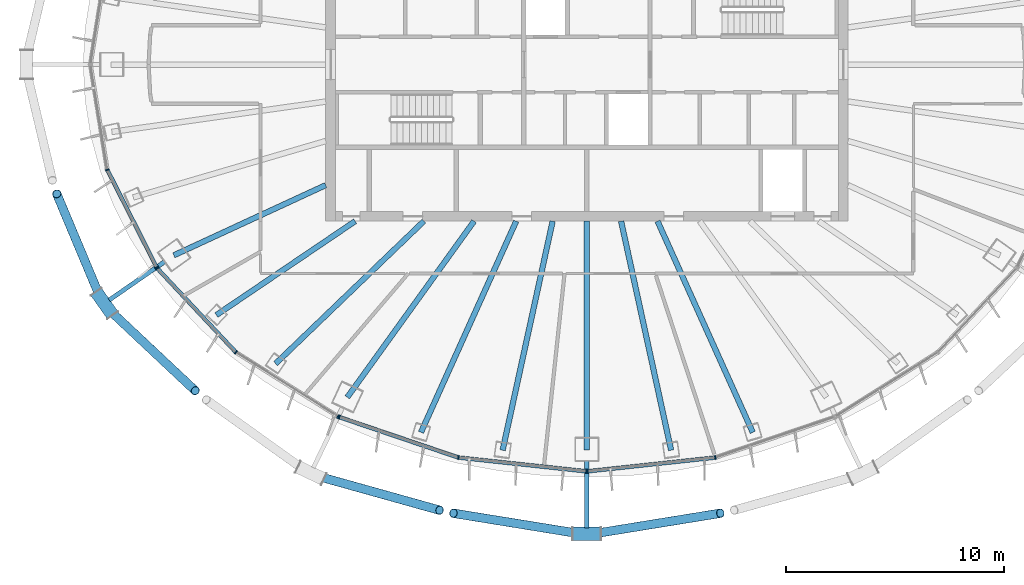
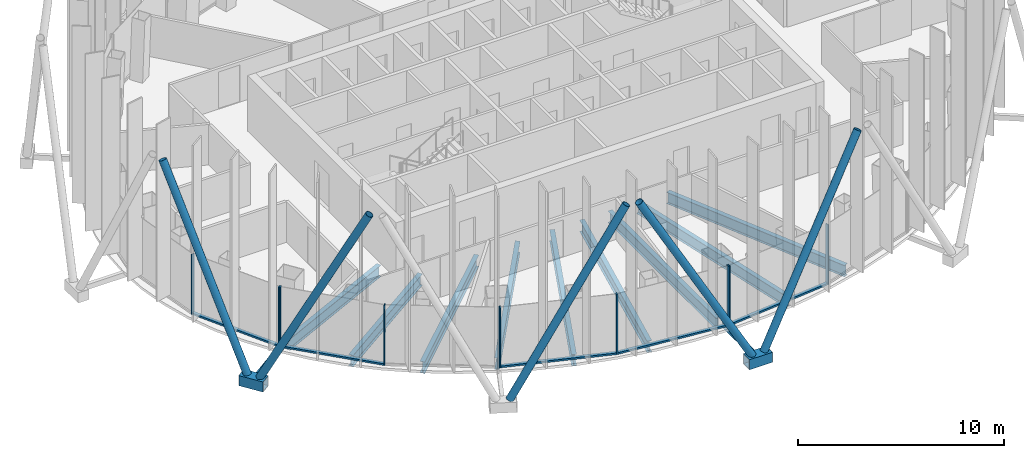
# One storey, part 2 of 17: 24 members, 9 beams, 4 elements without a shape of their own.
"""IFC4 building model written with IfcOpenShell, lengths in metres."""

from ifc_helpers import new_model, si_unit, direction, frame, origin, origin_2d, place, context, subcontext, project, spatial, rectangle, hollow_rectangle, hollow_circle, i_section, extrude, material, layer, layer_set, material_profile, profile_set, type_object, element, aggregate, save


model = new_model("IFC4")

# Units and contexts
model_context = context("Model", 3, precision=1e-05, world=origin(), true_north=direction((0.0, 1.0)))
body_context = subcontext(model_context, "Body", "Model", "MODEL_VIEW")
ifc_project = project(units=[si_unit("LENGTHUNIT", "METRE"), si_unit("AREAUNIT", "SQUARE_METRE"), si_unit("VOLUMEUNIT", "CUBIC_METRE"), si_unit("PLANEANGLEUNIT", "RADIAN"), si_unit("MASSUNIT", "GRAM", prefix="KILO")], contexts=[model_context])

# Site, building, storey
site_placement = place(None, origin())
site = spatial("IfcSite", under=ifc_project, at=site_placement, CompositionType="ELEMENT")
building_placement = place(site_placement, origin())
building = spatial("IfcBuilding", under=site, at=building_placement, Name="Siaravel Broadcast Tower", CompositionType="ELEMENT")
storey_placement = place(building_placement, frame((0.0, 0.0, 190.39990234375)))
storey = spatial("IfcBuildingStorey", under=building, at=storey_placement, Name="L46", CompositionType="ELEMENT", Elevation=190.39990234375)

# Beams
ifc_material_1 = material(Name="Steel S355", Category="steel")
ifc_material_profile_1 = material_profile(ifc_material_1, i_section(OverallWidth=0.2529296875, OverallDepth=0.677978515625, WebThickness=0.01171875, FlangeThickness=0.01611328125, FilletRadius=0.01513671875, at=origin_2d()))
ifc_profile_set_1 = profile_set([ifc_material_profile_1], Name="Steel S355")
beam_type = type_object("IfcBeamType", Name="BM-UB 686x254x125", PredefinedType="BEAM", material=ifc_profile_set_1)
beam_1_placement = place(storey_placement, frame((-18.978271484375, -8.7666015625, -0.489013671875), z_axis=(0.907828267, 0.419342148, 0.0), x_axis=(-0.419342148, 0.907828267, 0.0)))
element("IfcBeam", 1, at=beam_1_placement, inside=storey, type_object=beam_type, Name="Radial beam RB22", PredefinedType="BEAM", context=body_context, shape_type="SweptSolid", body=[
    extrude(i_section(OverallWidth=0.2529296875, OverallDepth=0.677978515625, WebThickness=0.01171875, FlangeThickness=0.01611328125, FilletRadius=0.01513671875, at=origin_2d()), origin(), (0.0, 0.0, 1.0), 7.686767578125),
])
beam_2_placement = place(storey_placement, frame((-17.023681640625, -11.51220703125, -0.489013671875), z_axis=(0.828367821, 0.560184571, 0.0), x_axis=(-0.560184571, 0.828367821, 0.0)))
element("IfcBeam", 2, at=beam_2_placement, inside=storey, type_object=beam_type, Name="Radial beam RB23", PredefinedType="BEAM", context=body_context, shape_type="SweptSolid", body=[
    extrude(i_section(OverallWidth=0.2529296875, OverallDepth=0.677978515625, WebThickness=0.01171875, FlangeThickness=0.01611328125, FilletRadius=0.01513671875, at=origin_2d()), origin(), (0.0, 0.0, 1.0), 7.697998046875),
])
beam_3_placement = place(storey_placement, frame((-14.30029296875, -13.742919921875, -0.489013671875), z_axis=(0.721006936, 0.692927845, 0.0), x_axis=(-0.692927845, 0.721006936, 0.0)))
element("IfcBeam", 3, at=beam_3_placement, inside=storey, type_object=beam_type, Name="Radial beam RB24", PredefinedType="BEAM", context=body_context, shape_type="SweptSolid", body=[
    extrude(i_section(OverallWidth=0.2529296875, OverallDepth=0.677978515625, WebThickness=0.01171875, FlangeThickness=0.01611328125, FilletRadius=0.01513671875, at=origin_2d()), origin(), (0.0, 0.0, 1.0), 9.4423828125),
])
beam_4_placement = place(storey_placement, frame((-11.005859375, -15.287353515625, -0.489013671875), z_axis=(0.584260838, 0.811565939, 0.0), x_axis=(-0.811565939, 0.584260838, 0.0)))
element("IfcBeam", 4, at=beam_4_placement, inside=storey, type_object=beam_type, Name="Radial beam RB25", PredefinedType="BEAM", context=body_context, shape_type="SweptSolid", body=[
    extrude(i_section(OverallWidth=0.2529296875, OverallDepth=0.677978515625, WebThickness=0.01171875, FlangeThickness=0.01611328125, FilletRadius=0.01513671875, at=origin_2d()), origin(), (0.0, 0.0, 1.0), 9.965087890625),
])
beam_5_placement = place(storey_placement, frame((-7.62158203125, -16.900146484375, -0.489013671875), z_axis=(0.411101024, 0.911589792, 0.0), x_axis=(-0.911589792, 0.411101024, 0.0)))
element("IfcBeam", 5, at=beam_5_placement, inside=storey, type_object=beam_type, Name="Radial beam RB26", PredefinedType="BEAM", context=body_context, shape_type="SweptSolid", body=[
    extrude(i_section(OverallWidth=0.2529296875, OverallDepth=0.677978515625, WebThickness=0.01171875, FlangeThickness=0.01611328125, FilletRadius=0.01513671875, at=origin_2d()), origin(), (0.0, 0.0, 1.0), 10.640869140625),
])
beam_6_placement = place(storey_placement, frame((-3.871337890625, -17.72314453125, -0.489013671875), z_axis=(0.21339877, 0.976965181, 0.0), x_axis=(-0.976965181, 0.21339877, 0.0)))
element("IfcBeam", 6, at=beam_6_placement, inside=storey, type_object=beam_type, Name="Radial beam RB27", PredefinedType="BEAM", context=body_context, shape_type="SweptSolid", body=[
    extrude(i_section(OverallWidth=0.2529296875, OverallDepth=0.677978515625, WebThickness=0.01171875, FlangeThickness=0.01611328125, FilletRadius=0.01513671875, at=origin_2d()), origin(), (0.0, 0.0, 1.0), 10.771240234375),
])
beam_7_placement = place(storey_placement, frame((0.0, -17.70068359375, -0.489013671875), z_axis=(0.0, 1.0, 0.0), x_axis=(-1.0, 0.0, 0.0)))
element("IfcBeam", 7, at=beam_7_placement, inside=storey, type_object=beam_type, Name="Radial beam RB28", PredefinedType="BEAM", context=body_context, shape_type="SweptSolid", body=[
    extrude(i_section(OverallWidth=0.2529296875, OverallDepth=0.677978515625, WebThickness=0.01171875, FlangeThickness=0.01611328125, FilletRadius=0.01513671875, at=origin_2d()), origin(), (0.0, 0.0, 1.0), 10.500732421875),
])
beam_8_placement = place(storey_placement, frame((3.871337890625, -17.72314453125, -0.489013671875), z_axis=(-0.21339877, 0.976965181, 0.0), x_axis=(-0.976965181, -0.21339877, 0.0)))
element("IfcBeam", 8, at=beam_8_placement, inside=storey, type_object=beam_type, Name="Radial beam RB29", PredefinedType="BEAM", context=body_context, shape_type="SweptSolid", body=[
    extrude(i_section(OverallWidth=0.2529296875, OverallDepth=0.677978515625, WebThickness=0.01171875, FlangeThickness=0.01611328125, FilletRadius=0.01513671875, at=origin_2d()), origin(), (0.0, 0.0, 1.0), 10.771240234375),
])
beam_9_placement = place(storey_placement, frame((7.62158203125, -16.900146484375, -0.489013671875), z_axis=(-0.411101024, 0.911589792, 0.0), x_axis=(-0.911589792, -0.411101024, 0.0)))
element("IfcBeam", 9, at=beam_9_placement, inside=storey, type_object=beam_type, Name="Radial beam RB30", PredefinedType="BEAM", context=body_context, shape_type="SweptSolid", body=[
    extrude(i_section(OverallWidth=0.2529296875, OverallDepth=0.677978515625, WebThickness=0.01171875, FlangeThickness=0.01611328125, FilletRadius=0.01513671875, at=origin_2d()), origin(), (0.0, 0.0, 1.0), 10.640869140625),
])

# Curtain wall, members
ifc_material_2 = material(Name="Aluminium 6063-T6", Category="aluminium")
ifc_layer = layer(ifc_material_2, 0.179931640625)
ifc_layer_set = layer_set([ifc_layer], Name="Aluminium 6063-T6")
curtain_wall_type = type_object("IfcCurtainWallType", Name="Unitised curtain wall, zone 3", PredefinedType="NOTDEFINED", material=ifc_layer_set)
curtain_wall_1_placement = place(storey_placement, origin())
curtain_wall_1 = element("IfcCurtainWall", 10, at=curtain_wall_1_placement, inside=storey, type_object=curtain_wall_type, Name="L46 Unitised curtain wall, zone 3 07", PredefinedType="NOTDEFINED")
ifc_material_profile_2 = material_profile(ifc_material_2, rectangle(XDim=0.179931640625, YDim=0.06005859375, at=origin_2d()))
ifc_profile_set_2 = profile_set([ifc_material_profile_2], Name="Aluminium 6063-T6")
member_type_1 = type_object("IfcMemberType", Name="CW-Z3 mullion", PredefinedType="MULLION", material=ifc_profile_set_2)
member_1_placement = place(storey_placement, frame((-22.0322265625, -4.8408203125, 0.0), z_axis=(0.0, 0.0, 1.0), x_axis=(0.951177224, 0.308645247, 0.0)))
member_1 = element("IfcMember", 11, at=member_1_placement, type_object=member_type_1, Name="CW-Z3 mullion 2", PredefinedType="MULLION", context=body_context, shape_type="SweptSolid", body=[
    extrude(rectangle(XDim=0.179931640625, YDim=0.06005859375, at=origin_2d()), origin(), (0.0, 0.0, 1.0), 3.550048828125),
])
member_2_placement = place(storey_placement, frame((-19.765380859375, -9.323486328125, 0.0), z_axis=(0.0, 0.0, 1.0), x_axis=(0.892392092, 0.45126085, 0.0)))
member_2 = element("IfcMember", 12, at=member_2_placement, type_object=member_type_1, Name="CW-Z3 mullion 3", PredefinedType="MULLION", context=body_context, shape_type="SweptSolid", body=[
    extrude(rectangle(XDim=0.179931640625, YDim=0.06005859375, at=origin_2d()), origin(), (0.0, 0.0, 1.0), 3.550048828125),
])

curtain_wall_2_placement = place(storey_placement, origin())
curtain_wall_2 = element("IfcCurtainWall", 13, at=curtain_wall_2_placement, inside=storey, type_object=curtain_wall_type, Name="L46 Unitised curtain wall, zone 3 08", PredefinedType="NOTDEFINED")
member_3_placement = place(storey_placement, frame((-19.7314453125, -9.372314453125, 0.0), z_axis=(0.0, 0.0, 1.0), x_axis=(0.729805157, 0.6836552, 0.0)))
member_3 = element("IfcMember", 14, at=member_3_placement, type_object=member_type_1, Name="CW-Z3 mullion 1", PredefinedType="MULLION", context=body_context, shape_type="SweptSolid", body=[
    extrude(rectangle(XDim=0.179931640625, YDim=0.06005859375, at=origin_2d()), origin(), (0.0, 0.0, 1.0), 3.550048828125),
])
member_4_placement = place(storey_placement, frame((-16.12548828125, -13.221435546875, 0.0), z_axis=(0.0, 0.0, 1.0), x_axis=(0.636218507, 0.771508918, 0.0)))
member_4 = element("IfcMember", 15, at=member_4_placement, type_object=member_type_1, Name="CW-Z3 mullion 2", PredefinedType="MULLION", context=body_context, shape_type="SweptSolid", body=[
    extrude(rectangle(XDim=0.179931640625, YDim=0.06005859375, at=origin_2d()), origin(), (0.0, 0.0, 1.0), 3.550048828125),
])
member_5_placement = place(storey_placement, frame((-11.427001953125, -16.1748046875, 0.0), z_axis=(0.0, 0.0, 1.0), x_axis=(0.532149052, 0.846650687, 0.0)))
member_5 = element("IfcMember", 16, at=member_5_placement, type_object=member_type_1, Name="CW-Z3 mullion 3", PredefinedType="MULLION", context=body_context, shape_type="SweptSolid", body=[
    extrude(rectangle(XDim=0.179931640625, YDim=0.06005859375, at=origin_2d()), origin(), (0.0, 0.0, 1.0), 3.550048828125),
])

curtain_wall_3_placement = place(storey_placement, origin())
curtain_wall_3 = element("IfcCurtainWall", 17, at=curtain_wall_3_placement, inside=storey, type_object=curtain_wall_type, Name="L46 Unitised curtain wall, zone 3 09", PredefinedType="NOTDEFINED")
member_6_placement = place(storey_placement, frame((-11.373046875, -16.2001953125, 0.0), z_axis=(0.0, 0.0, 1.0), x_axis=(0.321300458, 0.946977305, 0.0)))
member_6 = element("IfcMember", 18, at=member_6_placement, type_object=member_type_1, Name="CW-Z3 mullion 1", PredefinedType="MULLION", context=body_context, shape_type="SweptSolid", body=[
    extrude(rectangle(XDim=0.179931640625, YDim=0.06005859375, at=origin_2d()), origin(), (0.0, 0.0, 1.0), 3.550048828125),
])
member_7_placement = place(storey_placement, frame((-5.901611328125, -18.056884765625, 0.0), z_axis=(0.0, 0.0, 1.0), x_axis=(0.21555795, 0.97649105, 0.0)))
member_7 = element("IfcMember", 19, at=member_7_placement, type_object=member_type_1, Name="CW-Z3 mullion 2", PredefinedType="MULLION", context=body_context, shape_type="SweptSolid", body=[
    extrude(rectangle(XDim=0.179931640625, YDim=0.06005859375, at=origin_2d()), origin(), (0.0, 0.0, 1.0), 3.550048828125),
])
member_8_placement = place(storey_placement, frame((-0.02978515625, -18.68994140625, 0.0), z_axis=(0.0, 0.0, 1.0), x_axis=(0.107217422, 0.994235598, 0.0)))
member_8 = element("IfcMember", 20, at=member_8_placement, type_object=member_type_1, Name="CW-Z3 mullion 3", PredefinedType="MULLION", context=body_context, shape_type="SweptSolid", body=[
    extrude(rectangle(XDim=0.179931640625, YDim=0.06005859375, at=origin_2d()), origin(), (0.0, 0.0, 1.0), 3.550048828125),
])

curtain_wall_4_placement = place(storey_placement, origin())
curtain_wall_4 = element("IfcCurtainWall", 21, at=curtain_wall_4_placement, inside=storey, type_object=curtain_wall_type, Name="L46 Unitised curtain wall, zone 3 10", PredefinedType="NOTDEFINED")
member_9_placement = place(storey_placement, frame((0.02978515625, -18.68994140625, 0.0), z_axis=(0.0, 0.0, 1.0), x_axis=(-0.107217422, 0.994235598, 0.0)))
member_9 = element("IfcMember", 22, at=member_9_placement, type_object=member_type_1, Name="CW-Z3 mullion 1", PredefinedType="MULLION", context=body_context, shape_type="SweptSolid", body=[
    extrude(rectangle(XDim=0.179931640625, YDim=0.06005859375, at=origin_2d()), origin(), (0.0, 0.0, 1.0), 3.550048828125),
])
member_10_placement = place(storey_placement, frame((5.901611328125, -18.056884765625, 0.0), z_axis=(0.0, 0.0, 1.0), x_axis=(-0.21555795, 0.97649105, 0.0)))
member_10 = element("IfcMember", 23, at=member_10_placement, type_object=member_type_1, Name="CW-Z3 mullion 2", PredefinedType="MULLION", context=body_context, shape_type="SweptSolid", body=[
    extrude(rectangle(XDim=0.179931640625, YDim=0.06005859375, at=origin_2d()), origin(), (0.0, 0.0, 1.0), 3.550048828125),
])

# Member
ifc_material_profile_3 = material_profile(ifc_material_2, rectangle(XDim=0.179931640625, YDim=0.10009765625, at=origin_2d()))
ifc_profile_set_3 = profile_set([ifc_material_profile_3], Name="Aluminium 6063-T6")
member_type_2 = type_object("IfcMemberType", Name="CW-Z3 transom", PredefinedType="USERDEFINED", material=ifc_profile_set_3)
member_11_placement = place(storey_placement, frame((-22.018798828125, -4.867431640625, 0.050048828125), z_axis=(0.45128156, -0.892381619, 0.0), x_axis=(0.892381619, 0.45128156, 0.0)))
member_11 = element("IfcMember", 24, at=member_11_placement, type_object=member_type_2, Name="CW-Z3 transom 2", ObjectType="TRANSOM", PredefinedType="USERDEFINED", context=body_context, shape_type="SweptSolid", body=[
    extrude(rectangle(XDim=0.179931640625, YDim=0.10009765625, at=origin_2d()), origin(), (0.0, 0.0, 1.0), 4.963623046875),
])

aggregate(curtain_wall_1, [member_1, member_2, member_11])

member_12_placement = place(storey_placement, frame((-19.710693359375, -9.394287109375, 0.050048828125), z_axis=(0.683645131, -0.72981459, 0.0), x_axis=(0.72981459, 0.683645131, 0.0)))
member_12 = element("IfcMember", 25, at=member_12_placement, type_object=member_type_2, Name="CW-Z3 transom 1", ObjectType="TRANSOM", PredefinedType="USERDEFINED", context=body_context, shape_type="SweptSolid", body=[
    extrude(rectangle(XDim=0.179931640625, YDim=0.10009765625, at=origin_2d()), origin(), (0.0, 0.0, 1.0), 5.2138671875),
])

aggregate(curtain_wall_2, [member_3, member_4, member_5, member_12])

member_13_placement = place(storey_placement, frame((-11.3447265625, -16.2099609375, 0.050048828125), z_axis=(0.946978932, -0.321295661, 0.0), x_axis=(0.321295661, 0.946978932, 0.0)))
member_13 = element("IfcMember", 26, at=member_13_placement, type_object=member_type_2, Name="CW-Z3 transom 1", ObjectType="TRANSOM", PredefinedType="USERDEFINED", context=body_context, shape_type="SweptSolid", body=[
    extrude(rectangle(XDim=0.179931640625, YDim=0.10009765625, at=origin_2d()), origin(), (0.0, 0.0, 1.0), 5.718017578125),
])

member_14_placement = place(storey_placement, frame((-5.87158203125, -18.06005859375, 0.050048828125), z_axis=(0.994236081, -0.107212939, 0.0), x_axis=(0.107212939, 0.994236081, 0.0)))
member_14 = element("IfcMember", 27, at=member_14_placement, type_object=member_type_2, Name="CW-Z3 transom 2", ObjectType="TRANSOM", PredefinedType="USERDEFINED", context=body_context, shape_type="SweptSolid", body=[
    extrude(rectangle(XDim=0.179931640625, YDim=0.10009765625, at=origin_2d()), origin(), (0.0, 0.0, 1.0), 5.845458984375),
])

aggregate(curtain_wall_3, [member_6, member_7, member_8, member_13, member_14])

member_15_placement = place(storey_placement, frame((0.059814453125, -18.686767578125, 0.050048828125), z_axis=(0.994236081, 0.107212939, 0.0), x_axis=(-0.107212939, 0.994236081, 0.0)))
member_15 = element("IfcMember", 28, at=member_15_placement, type_object=member_type_2, Name="CW-Z3 transom 1", ObjectType="TRANSOM", PredefinedType="USERDEFINED", context=body_context, shape_type="SweptSolid", body=[
    extrude(rectangle(XDim=0.179931640625, YDim=0.10009765625, at=origin_2d()), origin(), (0.0, 0.0, 1.0), 5.845458984375),
])

aggregate(curtain_wall_4, [member_9, member_10, member_15])

# Members
ifc_material_3 = material(Name="Steel S460", Category="steel")
ifc_material_profile_4 = material_profile(ifc_material_3, hollow_circle(Radius=0.203125, WallThickness=0.01611328125, at=origin_2d()))
ifc_profile_set_4 = profile_set([ifc_material_profile_4], Name="Steel S460")
member_type_3 = type_object("IfcMemberType", Name="Diagrid diagonal CHS 406.4x16", PredefinedType="BRACE", material=ifc_profile_set_4)
member_16_placement = place(storey_placement, frame((-22.355224609375, -10.71240234375, 0.070068359375), z_axis=(-0.170079114, 0.405744155, 0.898022703), x_axis=(-0.922252462, -0.386588148, 0.0)))
element("IfcMember", 29, at=member_16_placement, inside=storey, type_object=member_type_3, Name="Diagrid diagonal R19 station 42C", PredefinedType="BRACE", context=body_context, shape_type="SweptSolid", body=[
    extrude(hollow_circle(Radius=0.203125, WallThickness=0.01611328125, at=origin_2d()), origin(), (0.0, 0.0, 1.0), 11.75927734375),
])
member_17_placement = place(storey_placement, frame((-21.982421875, -11.2412109375, 0.070068359375), z_axis=(0.335500902, -0.315078572, 0.88778637), x_axis=(0.6845728, 0.728944498, 0.0)))
element("IfcMember", 30, at=member_17_placement, inside=storey, type_object=member_type_3, Name="Diagrid diagonal R19 station 42A", PredefinedType="BRACE", context=body_context, shape_type="SweptSolid", body=[
    extrude(hollow_circle(Radius=0.203125, WallThickness=0.01611328125, at=origin_2d()), origin(), (0.0, 0.0, 1.0), 11.894775390625),
])
member_18_placement = place(storey_placement, frame((-12.391357421875, -18.90673828125, 0.070068359375), z_axis=(0.466270762, -0.130197346, 0.875008701), x_axis=(0.268943218, 0.963156034, 0.0)))
element("IfcMember", 31, at=member_18_placement, inside=storey, type_object=member_type_3, Name="Diagrid diagonal R19 station 48A", PredefinedType="BRACE", context=body_context, shape_type="SweptSolid", body=[
    extrude(hollow_circle(Radius=0.203125, WallThickness=0.01611328125, at=origin_2d()), origin(), (0.0, 0.0, 1.0), 12.068603515625),
])
for number, where, z_axis, x_axis, name in (
    (32, (-0.323486328125, -21.557861328125, 0.070068359375), (-0.480492444, 0.077833636, 0.873538171), (-0.159902892, -0.987132749, 0.0), "Diagrid diagonal R19 station 54C"),
    (33, (0.323486328125, -21.557861328125, 0.070068359375), (0.480492444, 0.077833636, 0.873538171), (-0.159902892, 0.987132749, 0.0), "Diagrid diagonal R19 station 54A"),
):
    element("IfcMember", number, at=place(storey_placement, frame(where, z_axis=z_axis, x_axis=x_axis)), inside=storey, type_object=member_type_3, Name=name, PredefinedType="BRACE", context=body_context, shape_type="SweptSolid", body=[
        extrude(hollow_circle(Radius=0.203125, WallThickness=0.01611328125, at=origin_2d()), origin(), (0.0, 0.0, 1.0), 12.0888671875),
    ])
ifc_material_profile_5 = material_profile(ifc_material_3, hollow_rectangle(XDim=0.60009765625, YDim=0.60009765625, WallThickness=0.031982421875, at=origin_2d()))
ifc_profile_set_5 = profile_set([ifc_material_profile_5], Name="Steel S460")
member_type_4 = type_object("IfcMemberType", Name="Diagrid node BOX 600x600x32", PredefinedType="USERDEFINED", material=ifc_profile_set_5)
for number, where, z_axis, x_axis, name in (
    (34, (-22.54150390625, -10.4482421875, -0.199951171875), (0.576030928, -0.817427899, 0.0), (0.817427899, 0.576030928, 0.0), "Diagrid node R19 station 42"),
    (35, (-0.646728515625, -21.557861328125, -0.199951171875), (1.0, 0.0, 0.0), (0.0, 1.0, 0.0), "Diagrid node R19 station 54"),
):
    element("IfcMember", number, at=place(storey_placement, frame(where, z_axis=z_axis, x_axis=x_axis)), inside=storey, type_object=member_type_4, Name=name, ObjectType="DIAGRID NODE", PredefinedType="USERDEFINED", context=body_context, shape_type="SweptSolid", body=[
        extrude(hollow_rectangle(XDim=0.60009765625, YDim=0.60009765625, WallThickness=0.031982421875, at=origin_2d()), origin(), (0.0, 0.0, 1.0), 1.29345703125),
    ])
ifc_material_profile_6 = material_profile(ifc_material_3, hollow_rectangle(XDim=0.199951171875, YDim=0.300048828125, WallThickness=0.012451171875, at=origin_2d()))
ifc_profile_set_6 = profile_set([ifc_material_profile_6], Name="Steel S460")
member_type_5 = type_object("IfcMemberType", Name="Diagrid node arm RHS 300x200x12.5", PredefinedType="STRUT", material=ifc_profile_set_6)
member_19_placement = place(storey_placement, frame((-19.40576171875, -9.062744140625, -0.199951171875), z_axis=(-0.822052855, -0.569411191, 0.0), x_axis=(0.569411191, -0.822052855, 0.0)))
element("IfcMember", 36, at=member_19_placement, inside=storey, type_object=member_type_5, Name="Node arm R19 station 42", PredefinedType="STRUT", context=body_context, shape_type="SweptSolid", body=[
    extrude(hollow_rectangle(XDim=0.199951171875, YDim=0.300048828125, WallThickness=0.012451171875, at=origin_2d()), origin(), (0.0, 0.0, 1.0), 3.09130859375),
])
member_20_placement = place(storey_placement, frame((0.0, -18.220703125, -0.199951171875), z_axis=(0.0, -1.0, 0.0), x_axis=(1.0, 0.0, 0.0)))
element("IfcMember", 37, at=member_20_placement, inside=storey, type_object=member_type_5, Name="Node arm R19 station 54", PredefinedType="STRUT", context=body_context, shape_type="SweptSolid", body=[
    extrude(hollow_rectangle(XDim=0.199951171875, YDim=0.300048828125, WallThickness=0.012451171875, at=origin_2d()), origin(), (0.0, 0.0, 1.0), 3.067138671875),
])

save(model, "model.ifc")
